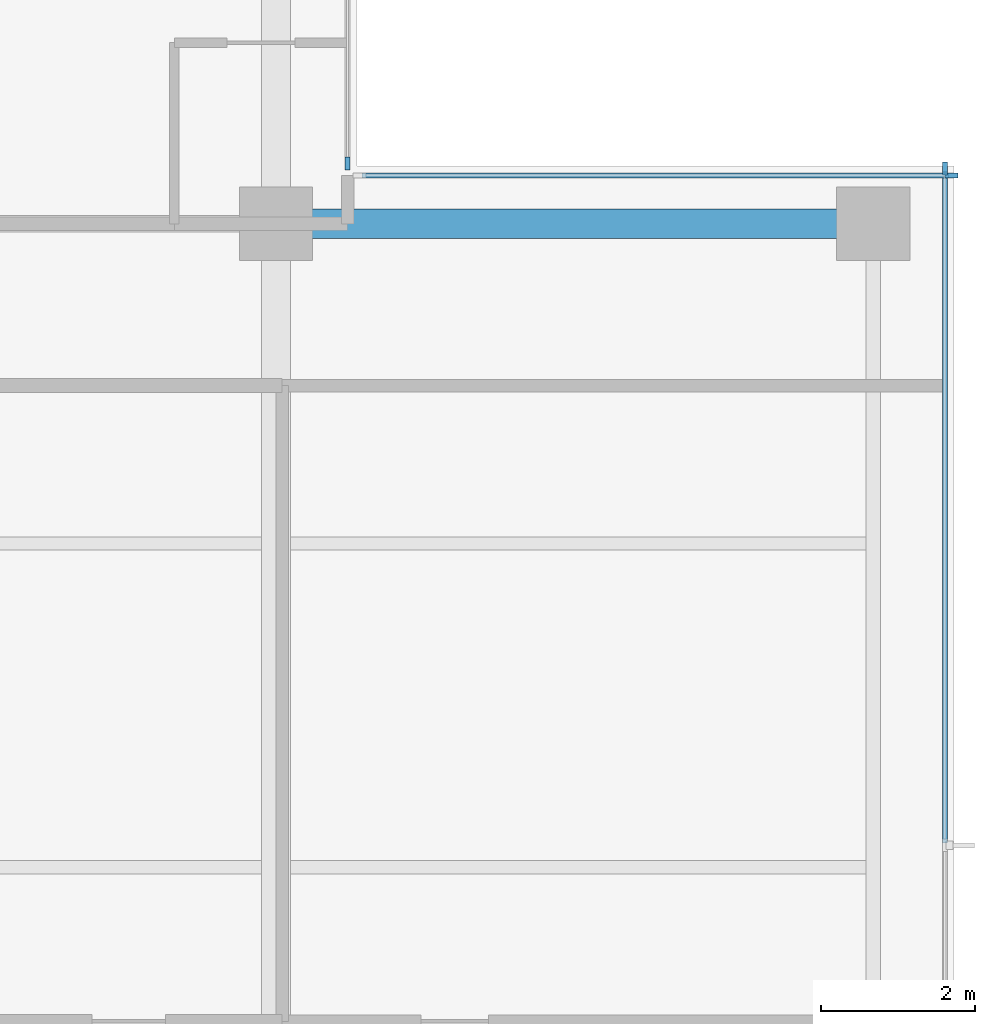
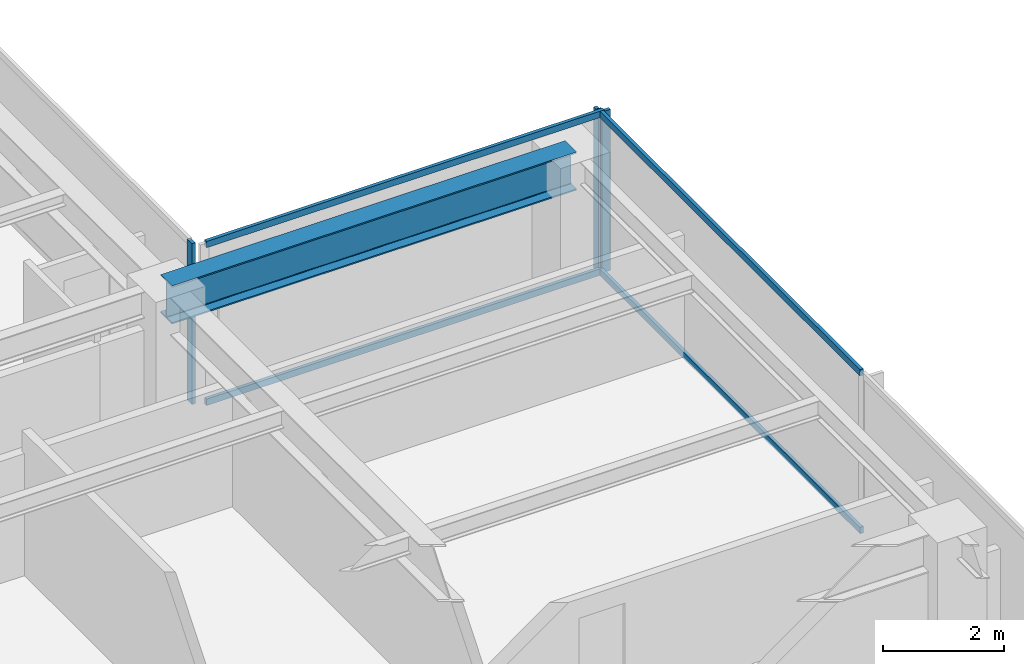
# One storey, part 4 of 14: 7 members, 1 beam, 3 elements without a shape of their own.
"""IFC4 building model written with IfcOpenShell, lengths in metres."""

from ifc_helpers import new_model, si_unit, direction, frame, origin, origin_2d, place, context, subcontext, project, spatial, rectangle, i_section, extrude, material, layer, layer_set, material_profile, profile_set, type_object, element, aggregate, save


model = new_model("IFC4")

# Units and contexts
model_context = context("Model", 3, precision=1e-05, world=origin(), true_north=direction((0.0, 1.0)))
body_context = subcontext(model_context, "Body", "Model", "MODEL_VIEW")
ifc_project = project(units=[si_unit("LENGTHUNIT", "METRE"), si_unit("AREAUNIT", "SQUARE_METRE"), si_unit("VOLUMEUNIT", "CUBIC_METRE"), si_unit("PLANEANGLEUNIT", "RADIAN"), si_unit("MASSUNIT", "GRAM", prefix="KILO")], contexts=[model_context])

# Site, building, storey
site_placement = place(None, origin())
site = spatial("IfcSite", under=ifc_project, at=site_placement, CompositionType="ELEMENT")
building_placement = place(site_placement, origin())
building = spatial("IfcBuilding", under=site, at=building_placement, Name="Qalmaran Belvedere Hotel", CompositionType="ELEMENT")
storey_placement = place(building_placement, frame((0.0, 0.0, 217.89990234375)))
storey = spatial("IfcBuildingStorey", under=building, at=storey_placement, Name="L55", CompositionType="ELEMENT", Elevation=217.89990234375)

# Beam
ifc_material_1 = material(Name="Steel S355JR", Category="steel")
ifc_material_profile_1 = material_profile(ifc_material_1, i_section(OverallWidth=0.381103515625, OverallDepth=0.77294921875, WebThickness=0.0166015625, FlangeThickness=0.027099609375, FilletRadius=0.02197265625, at=origin_2d()), Name="W760X257")
ifc_profile_set_1 = profile_set([ifc_material_profile_1], Name="Steel S355JR")
beam_type = type_object("IfcBeamType", Name="BM-PG4-W760X257", PredefinedType="USERDEFINED", material=ifc_profile_set_1)
beam_placement = place(storey_placement, frame((44.800048828125, 33.0, 2.87353515625), z_axis=(1.0, 0.0, 0.0), x_axis=(0.0, 1.0, 0.0)))
element("IfcBeam", 1, at=beam_placement, inside=storey, type_object=beam_type, Name="L55 East Wing Girder 27", ObjectType="GIRDER", PredefinedType="USERDEFINED", context=body_context, shape_type="SweptSolid", body=[
    extrude(i_section(OverallWidth=0.381103515625, OverallDepth=0.77294921875, WebThickness=0.0166015625, FlangeThickness=0.027099609375, FilletRadius=0.02197265625, at=origin_2d()), origin(), (0.0, 0.0, 1.0), 7.75),
])

# Curtain wall, member
ifc_material_2 = material(Name="Anodised Bronze Aluminium", Category="aluminium")
ifc_layer = layer(ifc_material_2, 0.18994140625, Name="Anodised Bronze Aluminium")
ifc_layer_set = layer_set([ifc_layer], Name="Anodised Bronze Aluminium")
curtain_wall_type = type_object("IfcCurtainWallType", Name="CW5-TOWER-UPPER", PredefinedType="NOTDEFINED", material=ifc_layer_set)
curtain_wall_1_placement = place(storey_placement, origin())
curtain_wall_1 = element("IfcCurtainWall", 2, at=curtain_wall_1_placement, inside=storey, type_object=curtain_wall_type, Name="L55 Curtain Wall CW5", PredefinedType="NOTDEFINED")
ifc_material_profile_2 = material_profile(ifc_material_2, rectangle(XDim=0.06494140625, YDim=0.1650390625, at=origin_2d()), Name="CWM65X165")
ifc_profile_set_2 = profile_set([ifc_material_profile_2], Name="Anodised Bronze Aluminium")
member_type_1 = type_object("IfcMemberType", Name="CWM-65X165", PredefinedType="MULLION", material=ifc_profile_set_2)
member_1_placement = place(storey_placement, frame((53.47998046875, 33.717529296875, 0.0), z_axis=(0.0, 0.0, 1.0), x_axis=(-1.0, 0.0, 0.0)))
member_1 = element("IfcMember", 3, at=member_1_placement, type_object=member_type_1, Name="CW5 mullion 4", PredefinedType="MULLION", context=body_context, shape_type="SweptSolid", body=[
    extrude(rectangle(XDim=0.06494140625, YDim=0.1650390625, at=origin_2d()), origin(), (0.0, 0.0, 1.0), 3.260009765625),
])

curtain_wall_2_placement = place(storey_placement, origin())
curtain_wall_2 = element("IfcCurtainWall", 4, at=curtain_wall_2_placement, inside=storey, type_object=curtain_wall_type, Name="L55 Curtain Wall CW5", PredefinedType="NOTDEFINED")
member_2_placement = place(storey_placement, frame((53.5673828125, 33.6298828125, 0.0), z_axis=(0.0, 0.0, 1.0), x_axis=(0.0, -1.0, 0.0)))
member_2 = element("IfcMember", 5, at=member_2_placement, type_object=member_type_1, Name="CW5 mullion 1", PredefinedType="MULLION", context=body_context, shape_type="SweptSolid", body=[
    extrude(rectangle(XDim=0.06494140625, YDim=0.1650390625, at=origin_2d()), origin(), (0.0, 0.0, 1.0), 3.260009765625),
])

curtain_wall_3_placement = place(storey_placement, origin())
curtain_wall_3 = element("IfcCurtainWall", 6, at=curtain_wall_3_placement, inside=storey, type_object=curtain_wall_type, Name="L55 Curtain Wall CW5", PredefinedType="NOTDEFINED")
member_3_placement = place(storey_placement, frame((45.72998046875, 33.782470703125, 0.0), z_axis=(0.0, 0.0, 1.0), x_axis=(-1.0, 0.0, 0.0)))
member_3 = element("IfcMember", 7, at=member_3_placement, type_object=member_type_1, Name="CW5 mullion 1", PredefinedType="MULLION", context=body_context, shape_type="SweptSolid", body=[
    extrude(rectangle(XDim=0.06494140625, YDim=0.1650390625, at=origin_2d()), origin(), (0.0, 0.0, 1.0), 3.260009765625),
])
aggregate(curtain_wall_3, [member_3])

# Member
ifc_material_profile_3 = material_profile(ifc_material_2, rectangle(XDim=0.06494140625, YDim=0.1298828125, at=origin_2d()), Name="CWT65X130")
ifc_profile_set_3 = profile_set([ifc_material_profile_3], Name="Anodised Bronze Aluminium")
member_type_2 = type_object("IfcMemberType", Name="CWT-65X130", PredefinedType="USERDEFINED", material=ifc_profile_set_3)
member_4_placement = place(storey_placement, frame((53.47998046875, 24.9658203125, 0.03271484375), z_axis=(0.0, 1.0, 0.0), x_axis=(-1.0, 0.0, 0.0)))
member_4 = element("IfcMember", 8, at=member_4_placement, type_object=member_type_2, Name="CW5 transom 3.1", ObjectType="TRANSOM", PredefinedType="USERDEFINED", context=body_context, shape_type="SweptSolid", body=[
    extrude(rectangle(XDim=0.06494140625, YDim=0.1298828125, at=origin_2d()), origin(), (0.0, 0.0, 1.0), 8.71923828125),
])

member_5_placement = place(storey_placement, frame((53.47998046875, 24.9658203125, 3.2275390625), z_axis=(0.0, 1.0, 0.0), x_axis=(-1.0, 0.0, 0.0)))
member_5 = element("IfcMember", 9, at=member_5_placement, type_object=member_type_2, Name="CW5 transom 3.2", ObjectType="TRANSOM", PredefinedType="USERDEFINED", context=body_context, shape_type="SweptSolid", body=[
    extrude(rectangle(XDim=0.06494140625, YDim=0.1298828125, at=origin_2d()), origin(), (0.0, 0.0, 1.0), 8.71923828125),
])

aggregate(curtain_wall_1, [member_1, member_4, member_5])

member_6_placement = place(storey_placement, frame((53.534912109375, 33.6298828125, 0.03271484375), z_axis=(-1.0, 0.0, 0.0), x_axis=(0.0, -1.0, 0.0)))
member_6 = element("IfcMember", 10, at=member_6_placement, type_object=member_type_2, Name="CW5 transom 1.1", ObjectType="TRANSOM", PredefinedType="USERDEFINED", context=body_context, shape_type="SweptSolid", body=[
    extrude(rectangle(XDim=0.06494140625, YDim=0.1298828125, at=origin_2d()), origin(), (0.0, 0.0, 1.0), 7.619873046875),
])

member_7_placement = place(storey_placement, frame((53.534912109375, 33.6298828125, 3.2275390625), z_axis=(-1.0, 0.0, 0.0), x_axis=(0.0, -1.0, 0.0)))
member_7 = element("IfcMember", 11, at=member_7_placement, type_object=member_type_2, Name="CW5 transom 1.2", ObjectType="TRANSOM", PredefinedType="USERDEFINED", context=body_context, shape_type="SweptSolid", body=[
    extrude(rectangle(XDim=0.06494140625, YDim=0.1298828125, at=origin_2d()), origin(), (0.0, 0.0, 1.0), 7.619873046875),
])

aggregate(curtain_wall_2, [member_2, member_6, member_7])

save(model, "model.ifc")
